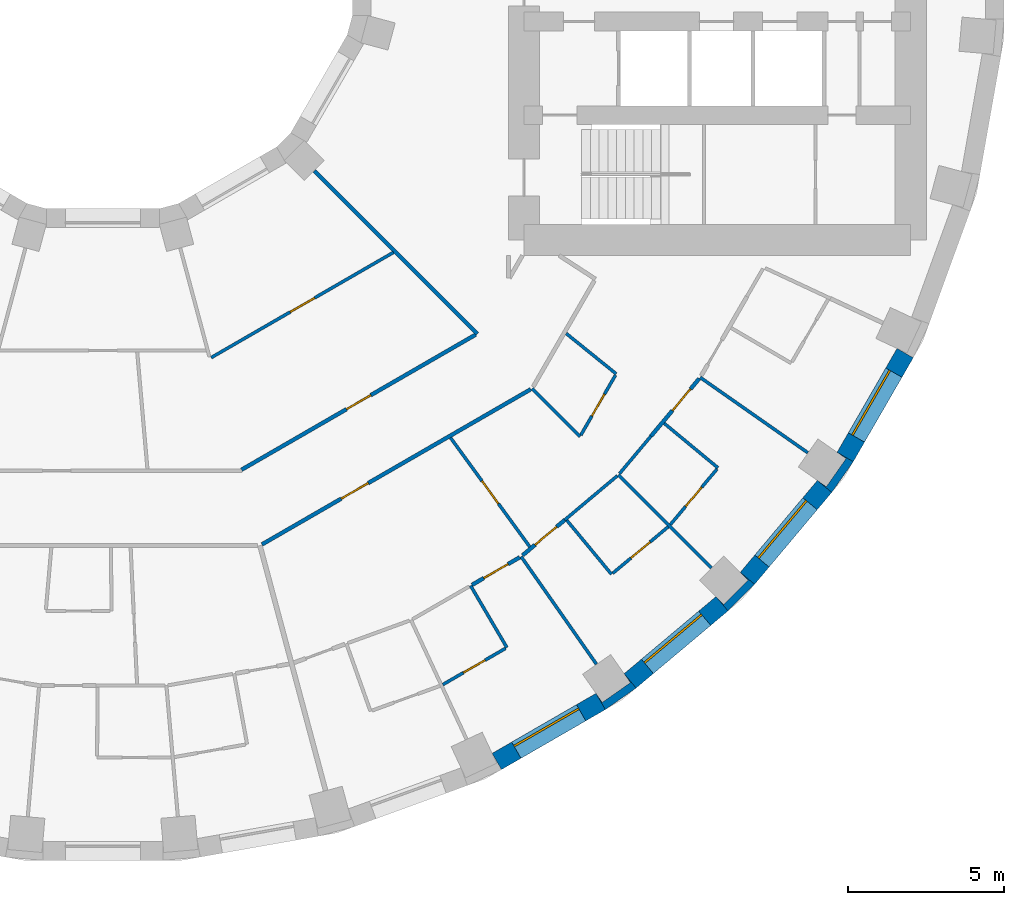
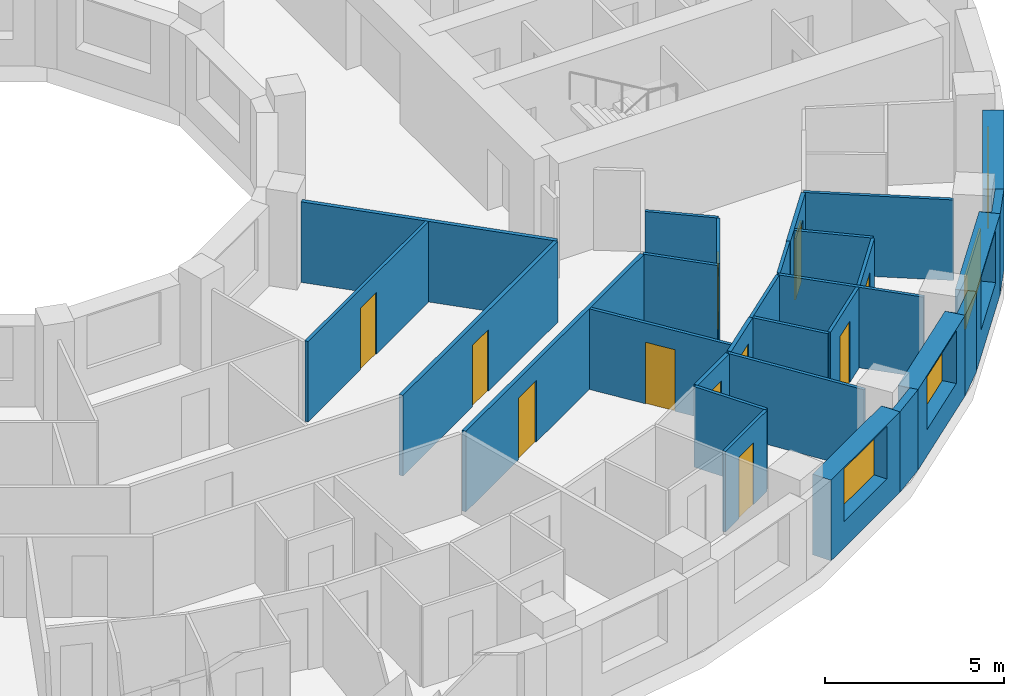
# One storey, part 7 of 15: 29 walls, 11 doors, 4 windows, 15 openings.
"""IFC4 building model written with IfcOpenShell, lengths in metres."""

from ifc_helpers import new_model, si_unit, direction, frame, frame_2d, origin, place, context, subcontext, project, spatial, polyline, rectangle, outline, extrude, material, layer, layer_set, type_object, element, fill, save


model = new_model("IFC4")

# Units and contexts
model_context = context("Model", 3, precision=1e-05, world=origin(), true_north=direction((0.0, 1.0)))
body_context = subcontext(model_context, "Body", "Model", "MODEL_VIEW")
ifc_project = project(units=[si_unit("LENGTHUNIT", "METRE"), si_unit("AREAUNIT", "SQUARE_METRE"), si_unit("VOLUMEUNIT", "CUBIC_METRE"), si_unit("PLANEANGLEUNIT", "RADIAN"), si_unit("MASSUNIT", "GRAM", prefix="KILO")], contexts=[model_context])

# Site, building, storey
site_placement = place(None, origin())
site = spatial("IfcSite", under=ifc_project, at=site_placement, CompositionType="ELEMENT")
building_placement = place(site_placement, origin())
building = spatial("IfcBuilding", under=site, at=building_placement, Name="Saqina Gate Tower", CompositionType="ELEMENT")
storey_placement = place(building_placement, frame((0.0, 0.0, 72.5)))
storey = spatial("IfcBuildingStorey", under=building, at=storey_placement, Name="L20", CompositionType="ELEMENT", Elevation=72.5)

# Walls
ifc_material_1 = material(Name="Brick masonry (red)", Category="masonry")
wall_type_1 = type_object("IfcWallType", Name="BRICK PIER COPING RED", PredefinedType="SOLIDWALL", material=ifc_material_1)
wall_1_placement = place(storey_placement, origin())
element("IfcWall", 1, at=wall_1_placement, inside=storey, type_object=wall_type_1, Name="Pier cap L20 column 31", PredefinedType="SOLIDWALL", context=body_context, shape_type="SweptSolid", body=[
    extrude(outline(polyline([(16.110107421875, -24.0576171875), (17.096923828125, -23.36669921875), (16.711181640625, -22.9072265625), (16.912109375, -23.194091796875), (16.010986328125, -23.8251953125), (15.81005859375, -23.5380859375), (16.110107421875, -24.0576171875)])), origin(), (0.0, 0.0, 1.0), 2.75),
])
wall_2_placement = place(storey_placement, origin())
element("IfcWall", 2, at=wall_2_placement, inside=storey, type_object=wall_type_1, Name="Pier cap L20 column 32", PredefinedType="SOLIDWALL", context=body_context, shape_type="SweptSolid", body=[
    extrude(outline(polyline([(20.894775390625, -20.04296875), (20.43505859375, -19.6572265625), (20.682861328125, -19.905029296875), (19.905029296875, -20.682861328125), (19.6572265625, -20.43505859375), (20.04296875, -20.894775390625), (20.894775390625, -20.04296875)])), origin(), (0.0, 0.0, 1.0), 2.75),
])
wall_3_placement = place(storey_placement, origin())
element("IfcWall", 3, at=wall_3_placement, inside=storey, type_object=wall_type_1, Name="Pier cap L20 column 33", PredefinedType="SOLIDWALL", context=body_context, shape_type="SweptSolid", body=[
    extrude(outline(polyline([(23.36669921875, -17.096923828125), (24.0576171875, -16.110107421875), (23.5380859375, -15.81005859375), (23.8251953125, -16.010986328125), (23.194091796875, -16.912109375), (22.9072265625, -16.711181640625), (23.36669921875, -17.096923828125)])), origin(), (0.0, 0.0, 1.0), 2.75),
])

# Wall, opening, window
ifc_material_2 = material(Name="Brick masonry (red)", Category="masonry")
ifc_layer_1 = layer(ifc_material_2, 0.60009765625)
ifc_layer_set_1 = layer_set([ifc_layer_1], Name="FW-BRICK-RED")
wall_type_2 = type_object("IfcWallType", Name="FW-BRICK-RED", PredefinedType="SOLIDWALL", material=ifc_layer_set_1)
wall_4_placement = place(storey_placement, frame((12.629638671875, -25.720703125, 0.0), z_axis=(0.0, 0.0, 1.0), x_axis=(0.86603124159, 0.499989888488, 0.0)))
wall_4 = element("IfcWall", 4, at=wall_4_placement, inside=storey, type_object=wall_type_2, Name="Facade wall L20 facet 30", PredefinedType="SOLIDWALL", context=body_context, shape_type="SweptSolid", body=[
    extrude(rectangle(XDim=3.845703125, YDim=0.60009765625, at=frame_2d((1.9228515625, 0.0))), origin(), (0.0, 0.0, 1.0), 2.75),
])
opening_1_placement = place(wall_4_placement, frame((0.722900390625, 0.0, 0.89990234375)))
opening_1 = element("IfcOpeningElement", 5, at=opening_1_placement, cuts=wall_4, Name="Opening G05-W19", PredefinedType="OPENING", context=body_context, shape_type="SweptSolid", body=[
    extrude(rectangle(XDim=2.39990234375, YDim=1.800048828125, at=frame_2d((1.199951171875, 0.89990234375))), frame((0.0, 0.31201171875, 0.0), z_axis=(0.0, -1.0, 0.0), x_axis=(1.0, 0.0, 0.0)), (0.0, 0.0, 1.0), 0.6240234375),
])
ifc_material_3 = material(Name="Aluminium glazing", Category="aluminium")
window_type = type_object("IfcWindowType", Name="WN-A", PartitioningType="SINGLE_PANEL", PredefinedType="WINDOW", material=ifc_material_3)
window_1_placement = place(opening_1_placement, origin())
window_1 = element("IfcWindow", 6, at=window_1_placement, inside=storey, type_object=window_type, Name="Window L20 facet 30", OverallHeight=1.800048828125, OverallWidth=2.39990234375, PartitioningType="SINGLE_PANEL", PredefinedType="WINDOW", context=body_context, shape_type="SweptSolid", body=[
    extrude(rectangle(XDim=2.39990234375, YDim=1.800048828125, at=frame_2d((1.199951171875, 0.89990234375))), frame((0.0, 0.179931640625, 0.0), z_axis=(0.0, -1.0, 0.0), x_axis=(1.0, 0.0, 0.0)), (0.0, 0.0, 1.0), 0.06005859375),
])
fill(opening_1, window_1)

wall_5_placement = place(storey_placement, frame((16.904052734375, -23.136962890625, 0.0), z_axis=(0.0, 0.0, 1.0), x_axis=(0.766026164483, 0.642809392687, 0.0)))
wall_5 = element("IfcWall", 7, at=wall_5_placement, inside=storey, type_object=wall_type_2, Name="Facade wall L20 facet 31", PredefinedType="SOLIDWALL", context=body_context, shape_type="SweptSolid", body=[
    extrude(rectangle(XDim=3.845947265625, YDim=0.60009765625, at=frame_2d((1.9228515625, 0.0))), origin(), (0.0, 0.0, 1.0), 2.75),
])
opening_2_placement = place(wall_5_placement, frame((0.722900390625, 0.0, 0.89990234375)))
opening_2 = element("IfcOpeningElement", 8, at=opening_2_placement, cuts=wall_5, Name="Opening G05-W20", PredefinedType="OPENING", context=body_context, shape_type="SweptSolid", body=[
    extrude(rectangle(XDim=2.39990234375, YDim=1.800048828125, at=frame_2d((1.199951171875, 0.89990234375))), frame((0.0, 0.31201171875, 0.0), z_axis=(0.0, -1.0, 0.0), x_axis=(1.0, 0.0, 0.0)), (0.0, 0.0, 1.0), 0.6240234375),
])
window_2_placement = place(opening_2_placement, origin())
window_2 = element("IfcWindow", 9, at=window_2_placement, inside=storey, type_object=window_type, Name="Window L20 facet 31", OverallHeight=1.800048828125, OverallWidth=2.39990234375, PartitioningType="SINGLE_PANEL", PredefinedType="WINDOW", context=body_context, shape_type="SweptSolid", body=[
    extrude(rectangle(XDim=2.39990234375, YDim=1.800048828125, at=frame_2d((1.199951171875, 0.89990234375))), frame((0.0, 0.179931640625, 0.0), z_axis=(0.0, -1.0, 0.0), x_axis=(1.0, 0.0, 0.0)), (0.0, 0.0, 1.0), 0.06005859375),
])
fill(opening_2, window_2)

wall_6_placement = place(storey_placement, frame((20.664794921875, -19.85009765625, 0.0), z_axis=(0.0, 0.0, 1.0), x_axis=(0.642809392687, 0.766026164483, 0.0)))
wall_6 = element("IfcWall", 10, at=wall_6_placement, inside=storey, type_object=wall_type_2, Name="Facade wall L20 facet 32", PredefinedType="SOLIDWALL", context=body_context, shape_type="SweptSolid", body=[
    extrude(rectangle(XDim=3.845947265625, YDim=0.60009765625, at=frame_2d((1.9228515625, 0.0))), origin(), (0.0, 0.0, 1.0), 2.75),
])
opening_3_placement = place(wall_6_placement, frame((0.722900390625, 0.0, 0.89990234375)))
opening_3 = element("IfcOpeningElement", 11, at=opening_3_placement, cuts=wall_6, Name="Opening G05-W21", PredefinedType="OPENING", context=body_context, shape_type="SweptSolid", body=[
    extrude(rectangle(XDim=2.39990234375, YDim=1.800048828125, at=frame_2d((1.199951171875, 0.89990234375))), frame((0.0, 0.31201171875, 0.0), z_axis=(0.0, -1.0, 0.0), x_axis=(1.0, 0.0, 0.0)), (0.0, 0.0, 1.0), 0.6240234375),
])
window_3_placement = place(opening_3_placement, origin())
window_3 = element("IfcWindow", 12, at=window_3_placement, inside=storey, type_object=window_type, Name="Window L20 facet 32", OverallHeight=1.800048828125, OverallWidth=2.39990234375, PartitioningType="SINGLE_PANEL", PredefinedType="WINDOW", context=body_context, shape_type="SweptSolid", body=[
    extrude(rectangle(XDim=2.39990234375, YDim=1.800048828125, at=frame_2d((1.199951171875, 0.89990234375))), frame((0.0, 0.179931640625, 0.0), z_axis=(0.0, -1.0, 0.0), x_axis=(1.0, 0.0, 0.0)), (0.0, 0.0, 1.0), 0.06005859375),
])
fill(opening_3, window_3)

wall_7_placement = place(storey_placement, frame((23.7978515625, -15.960205078125, 0.0), z_axis=(0.0, 0.0, 1.0), x_axis=(0.499989888488, 0.86603124159, 0.0)))
wall_7 = element("IfcWall", 13, at=wall_7_placement, inside=storey, type_object=wall_type_2, Name="Facade wall L20 facet 33", PredefinedType="SOLIDWALL", context=body_context, shape_type="SweptSolid", body=[
    extrude(rectangle(XDim=3.845703125, YDim=0.60009765625, at=frame_2d((1.9228515625, 0.0))), origin(), (0.0, 0.0, 1.0), 2.75),
])
opening_4_placement = place(wall_7_placement, frame((0.722900390625, 0.0, 0.89990234375)))
opening_4 = element("IfcOpeningElement", 14, at=opening_4_placement, cuts=wall_7, Name="Opening G05-W22", PredefinedType="OPENING", context=body_context, shape_type="SweptSolid", body=[
    extrude(rectangle(XDim=2.39990234375, YDim=1.800048828125, at=frame_2d((1.199951171875, 0.89990234375))), frame((0.0, 0.31201171875, 0.0), z_axis=(0.0, -1.0, 0.0), x_axis=(1.0, 0.0, 0.0)), (0.0, 0.0, 1.0), 0.6240234375),
])
window_4_placement = place(opening_4_placement, origin())
window_4 = element("IfcWindow", 15, at=window_4_placement, inside=storey, type_object=window_type, Name="Window L20 facet 33", OverallHeight=1.800048828125, OverallWidth=2.39990234375, PartitioningType="SINGLE_PANEL", PredefinedType="WINDOW", context=body_context, shape_type="SweptSolid", body=[
    extrude(rectangle(XDim=2.39990234375, YDim=1.800048828125, at=frame_2d((1.199951171875, 0.89990234375))), frame((0.0, 0.179931640625, 0.0), z_axis=(0.0, -1.0, 0.0), x_axis=(1.0, 0.0, 0.0)), (0.0, 0.0, 1.0), 0.06005859375),
])
fill(opening_4, window_4)

# Walls
ifc_material_4 = material(Name="Gypsum board on steel studs, 100 mm", Category="steel")
ifc_layer_2 = layer(ifc_material_4, 0.10009765625)
ifc_layer_set_2 = layer_set([ifc_layer_2], Name="PARTITION 100")
wall_type_3 = type_object("IfcWallType", Name="PARTITION 100", PredefinedType="PARTITIONING", material=ifc_layer_set_2)
wall_8_placement = place(storey_placement, frame((11.7900390625, -20.0859375, 0.0), z_axis=(0.0, 0.0, 1.0), x_axis=(0.506212585002, -0.862408730699, 0.0)))
element("IfcWall", 16, at=wall_8_placement, inside=storey, type_object=wall_type_3, Name="PARTITION PW3-23", PredefinedType="PARTITIONING", context=body_context, shape_type="SweptSolid", body=[
    extrude(rectangle(XDim=2.299560546875, YDim=0.10009765625, at=frame_2d((1.14990234375, 0.0))), origin(), (0.0, 0.0, 1.0), 2.75),
])
wall_9_placement = place(storey_placement, frame((13.408935546875, -19.15087890625, 0.0), z_axis=(0.0, 0.0, 1.0), x_axis=(0.573446781639, -0.819242814206, 0.0)))
element("IfcWall", 17, at=wall_9_placement, inside=storey, type_object=wall_type_3, Name="PARTITION PW3-25", PredefinedType="PARTITIONING", context=body_context, shape_type="SweptSolid", body=[
    extrude(rectangle(XDim=4.21142578125, YDim=0.10009765625, at=frame_2d((2.105712890625, 0.0))), origin(), (0.0, 0.0, 1.0), 2.75),
])

# Wall, opening, door
wall_10_placement = place(storey_placement, frame((11.147705078125, -15.344482421875, 0.0), z_axis=(0.0, 0.0, 1.0), x_axis=(0.587899330934, -0.8089340991, 0.0)))
wall_10 = element("IfcWall", 18, at=wall_10_placement, inside=storey, type_object=wall_type_3, Name="PARTITION PW3-26", PredefinedType="PARTITIONING", context=body_context, shape_type="SweptSolid", body=[
    extrude(rectangle(XDim=4.317626953125, YDim=0.10009765625, at=frame_2d((2.15869140625, 0.0))), origin(), (0.0, 0.0, 1.0), 2.75),
])
opening_5_placement = place(wall_10_placement, frame((1.708984375, 0.0, 0.0)))
opening_5 = element("IfcOpeningElement", 19, at=opening_5_placement, cuts=wall_10, Name="Opening G05-D61", PredefinedType="OPENING", context=body_context, shape_type="SweptSolid", body=[
    extrude(rectangle(XDim=0.89990234375, YDim=2.10009765625, at=frame_2d((0.449951171875, 1.050048828125))), frame((0.0, 0.06201171875, 0.0), z_axis=(0.0, -1.0, 0.0), x_axis=(1.0, 0.0, 0.0)), (0.0, 0.0, 1.0), 0.1240234375),
])
ifc_material_5 = material(Name="Timber door leaf, 900 mm", Category="wood")
door_type_1 = type_object("IfcDoorType", Name="DOOR 900 TIMBER", OperationType="SINGLE_SWING_LEFT", PredefinedType="DOOR", material=ifc_material_5)
door_1_placement = place(opening_5_placement, origin())
door_1 = element("IfcDoor", 20, at=door_1_placement, inside=storey, type_object=door_type_1, Name="DOOR G05-D61", OperationType="SINGLE_SWING_RIGHT", OverallHeight=2.10009765625, OverallWidth=0.89990234375, PredefinedType="DOOR", context=body_context, shape_type="SweptSolid", body=[
    extrude(rectangle(XDim=0.89990234375, YDim=2.10009765625, at=frame_2d((0.449951171875, 1.050048828125))), frame((0.0, 0.02490234375, 0.0), z_axis=(0.0, -1.0, 0.0), x_axis=(1.0, 0.0, 0.0)), (0.0, 0.0, 1.0), 0.050048828125),
])
fill(opening_5, door_1)

# Walls
wall_11_placement = place(storey_placement, frame((14.873779296875, -17.987548828125, 0.0), z_axis=(0.0, 0.0, 1.0), x_axis=(0.637512192465, -0.770440266639, 0.0)))
element("IfcWall", 21, at=wall_11_placement, inside=storey, type_object=wall_type_3, Name="PARTITION PW3-27", PredefinedType="PARTITIONING", context=body_context, shape_type="SweptSolid", body=[
    extrude(rectangle(XDim=2.25, YDim=0.10009765625, at=frame_2d((1.125, 0.0))), origin(), (0.0, 0.0, 1.0), 2.75),
])
wall_12_placement = place(storey_placement, frame((13.762939453125, -13.762939453125, 0.0), z_axis=(0.0, 0.0, 1.0), x_axis=(0.707106781187, -0.707106781187, 0.0)))
element("IfcWall", 22, at=wall_12_placement, inside=storey, type_object=wall_type_3, Name="PARTITION PW3-32", PredefinedType="PARTITIONING", context=body_context, shape_type="SweptSolid", body=[
    extrude(rectangle(XDim=2.173828125, YDim=0.10009765625, at=frame_2d((1.0869140625, 0.0))), origin(), (0.0, 0.0, 1.0), 2.75),
])
wall_13_placement = place(storey_placement, frame((16.531005859375, -16.531005859375, 0.0), z_axis=(0.0, 0.0, 1.0), x_axis=(0.707106781187, -0.707106781187, 0.0)))
element("IfcWall", 23, at=wall_13_placement, inside=storey, type_object=wall_type_3, Name="PARTITION PW3-33", PredefinedType="PARTITIONING", context=body_context, shape_type="SweptSolid", body=[
    extrude(rectangle(XDim=4.211669921875, YDim=0.10009765625, at=frame_2d((2.10595703125, 0.0))), origin(), (0.0, 0.0, 1.0), 2.75),
])
wall_14_placement = place(storey_placement, frame((17.9970703125, -14.8818359375, 0.0), z_axis=(0.0, 0.0, 1.0), x_axis=(0.770479328971, -0.637464982276, 0.0)))
element("IfcWall", 24, at=wall_14_placement, inside=storey, type_object=wall_type_3, Name="PARTITION PW3-37", PredefinedType="PARTITIONING", context=body_context, shape_type="SweptSolid", body=[
    extrude(rectangle(XDim=2.2373046875, YDim=0.10009765625, at=frame_2d((1.11865234375, 0.0))), origin(), (0.0, 0.0, 1.0), 2.75),
])
wall_15_placement = place(storey_placement, frame((14.852783203125, -11.99853515625, 0.0), z_axis=(0.0, 0.0, 1.0), x_axis=(0.777974546864, -0.628295793741, 0.0)))
element("IfcWall", 25, at=wall_15_placement, inside=storey, type_object=wall_type_3, Name="PARTITION PW3-38", PredefinedType="PARTITIONING", context=body_context, shape_type="SweptSolid", body=[
    extrude(rectangle(XDim=2.063232421875, YDim=0.10009765625, at=frame_2d((1.03173828125, 0.0))), origin(), (0.0, 0.0, 1.0), 2.75),
])
wall_16_placement = place(storey_placement, frame((19.15087890625, -13.408935546875, 0.0), z_axis=(0.0, 0.0, 1.0), x_axis=(0.819242814206, -0.573446781639, 0.0)))
element("IfcWall", 26, at=wall_16_placement, inside=storey, type_object=wall_type_3, Name="PARTITION PW3-40", PredefinedType="PARTITIONING", context=body_context, shape_type="SweptSolid", body=[
    extrude(rectangle(XDim=4.21142578125, YDim=0.10009765625, at=frame_2d((2.105712890625, 0.0))), origin(), (0.0, 0.0, 1.0), 2.75),
])

# Wall, opening, door
wall_17_placement = place(storey_placement, frame((10.8994140625, -23.256103515625, 0.0), z_axis=(0.0, 0.0, 1.0), x_axis=(0.865852932048, 0.500298610895, 0.0)))
wall_17 = element("IfcWall", 27, at=wall_17_placement, inside=storey, type_object=wall_type_3, Name="PARTITION PW3-75", PredefinedType="PARTITIONING", context=body_context, shape_type="SweptSolid", body=[
    extrude(rectangle(XDim=2.32275390625, YDim=0.10009765625, at=frame_2d((1.161376953125, 0.0))), origin(), (0.0, 0.0, 1.0), 2.75),
])
opening_6_placement = place(wall_17_placement, frame((0.761474609375, 0.0, 0.0)))
opening_6 = element("IfcOpeningElement", 28, at=opening_6_placement, cuts=wall_17, Name="Opening G05-D57", PredefinedType="OPENING", context=body_context, shape_type="SweptSolid", body=[
    extrude(rectangle(XDim=0.800048828125, YDim=2.10009765625, at=frame_2d((0.39990234375, 1.050048828125))), frame((0.0, 0.06201171875, 0.0), z_axis=(0.0, -1.0, 0.0), x_axis=(1.0, 0.0, 0.0)), (0.0, 0.0, 1.0), 0.1240234375),
])
ifc_material_6 = material(Name="Timber door leaf, 800 mm", Category="wood")
door_type_2 = type_object("IfcDoorType", Name="DOOR 800 TIMBER", OperationType="SINGLE_SWING_LEFT", PredefinedType="DOOR", material=ifc_material_6)
door_2_placement = place(opening_6_placement, frame((0.800048828125, 0.0, 0.0), z_axis=(0.0, 0.0, 1.0), x_axis=(-1.0, 0.0, 0.0)))
door_2 = element("IfcDoor", 29, at=door_2_placement, inside=storey, type_object=door_type_2, Name="DOOR G05-D57", OperationType="SINGLE_SWING_LEFT", OverallHeight=2.10009765625, OverallWidth=0.800048828125, PredefinedType="DOOR", context=body_context, shape_type="SweptSolid", body=[
    extrude(rectangle(XDim=0.800048828125, YDim=2.10009765625, at=frame_2d((0.39990234375, 1.050048828125))), frame((0.0, 0.02490234375, 0.0), z_axis=(0.0, -1.0, 0.0), x_axis=(1.0, 0.0, 0.0)), (0.0, 0.0, 1.0), 0.050048828125),
])
fill(opening_6, door_2)

wall_18_placement = place(storey_placement, frame((3.473388671875, -12.77490234375, 0.0), z_axis=(0.0, 0.0, 1.0), x_axis=(0.866002984226, 0.500038829804, 0.0)))
wall_18 = element("IfcWall", 30, at=wall_18_placement, inside=storey, type_object=wall_type_3, Name="PARTITION PW3-77", PredefinedType="PARTITIONING", context=body_context, shape_type="SweptSolid", body=[
    extrude(rectangle(XDim=6.74658203125, YDim=0.10009765625, at=frame_2d((3.373291015625, 0.0))), origin(), (0.0, 0.0, 1.0), 2.75),
])
opening_7_placement = place(wall_18_placement, frame((2.9296875, 0.0, 0.0)))
opening_7 = element("IfcOpeningElement", 31, at=opening_7_placement, cuts=wall_18, Name="Opening G05-D58", PredefinedType="OPENING", context=body_context, shape_type="SweptSolid", body=[
    extrude(rectangle(XDim=0.89990234375, YDim=2.10009765625, at=frame_2d((0.449951171875, 1.050048828125))), frame((0.0, 0.06201171875, 0.0), z_axis=(0.0, -1.0, 0.0), x_axis=(1.0, 0.0, 0.0)), (0.0, 0.0, 1.0), 0.1240234375),
])
door_3_placement = place(opening_7_placement, frame((0.89990234375, 0.0, 0.0), z_axis=(0.0, 0.0, 1.0), x_axis=(-1.0, 0.0, 0.0)))
door_3 = element("IfcDoor", 32, at=door_3_placement, inside=storey, type_object=door_type_1, Name="DOOR G05-D58", OperationType="SINGLE_SWING_LEFT", OverallHeight=2.10009765625, OverallWidth=0.89990234375, PredefinedType="DOOR", context=body_context, shape_type="SweptSolid", body=[
    extrude(rectangle(XDim=0.89990234375, YDim=2.10009765625, at=frame_2d((0.449951171875, 1.050048828125))), frame((0.0, 0.02490234375, 0.0), z_axis=(0.0, -1.0, 0.0), x_axis=(1.0, 0.0, 0.0)), (0.0, 0.0, 1.0), 0.050048828125),
])
fill(opening_7, door_3)

wall_19_placement = place(storey_placement, frame((16.34619140625, -19.68896484375, 0.0), z_axis=(0.0, 0.0, 1.0), x_axis=(0.766106399864, 0.642713765286, 0.0)))
wall_19 = element("IfcWall", 33, at=wall_19_placement, inside=storey, type_object=wall_type_3, Name="PARTITION PW3-83", PredefinedType="PARTITIONING", context=body_context, shape_type="SweptSolid", body=[
    extrude(rectangle(XDim=2.32275390625, YDim=0.10009765625, at=frame_2d((1.161376953125, 0.0))), origin(), (0.0, 0.0, 1.0), 2.75),
])
opening_8_placement = place(wall_19_placement, frame((0.76123046875, 0.0, 0.0)))
opening_8 = element("IfcOpeningElement", 34, at=opening_8_placement, cuts=wall_19, Name="Opening G05-D63", PredefinedType="OPENING", context=body_context, shape_type="SweptSolid", body=[
    extrude(rectangle(XDim=0.800048828125, YDim=2.10009765625, at=frame_2d((0.39990234375, 1.050048828125))), frame((0.0, 0.06201171875, 0.0), z_axis=(0.0, -1.0, 0.0), x_axis=(1.0, 0.0, 0.0)), (0.0, 0.0, 1.0), 0.1240234375),
])
door_4_placement = place(opening_8_placement, frame((0.800048828125, 0.0, 0.0), z_axis=(0.0, 0.0, 1.0), x_axis=(-1.0, 0.0, 0.0)))
door_4 = element("IfcDoor", 35, at=door_4_placement, inside=storey, type_object=door_type_2, Name="DOOR G05-D63", OperationType="SINGLE_SWING_LEFT", OverallHeight=2.10009765625, OverallWidth=0.800048828125, PredefinedType="DOOR", context=body_context, shape_type="SweptSolid", body=[
    extrude(rectangle(XDim=0.800048828125, YDim=2.10009765625, at=frame_2d((0.39990234375, 1.050048828125))), frame((0.0, 0.02490234375, 0.0), z_axis=(0.0, -1.0, 0.0), x_axis=(1.0, 0.0, 0.0)), (0.0, 0.0, 1.0), 0.050048828125),
])
fill(opening_8, door_4)

# Wall
wall_20_placement = place(storey_placement, frame((14.8037109375, -17.981201171875, 0.0), z_axis=(0.0, 0.0, 1.0), x_axis=(0.765874949637, 0.642989550085, 0.0)))
element("IfcWall", 36, at=wall_20_placement, inside=storey, type_object=wall_type_3, Name="PARTITION PW3-84", PredefinedType="PARTITIONING", context=body_context, shape_type="SweptSolid", body=[
    extrude(rectangle(XDim=2.205322265625, YDim=0.10009765625, at=frame_2d((1.1025390625, 0.0))), origin(), (0.0, 0.0, 1.0), 2.75),
])

# Wall, opening, door
wall_21_placement = place(storey_placement, frame((18.196044921875, -18.125732421875, 0.0), z_axis=(0.0, 0.0, 1.0), x_axis=(0.642713765286, 0.766106399864, 0.0)))
wall_21 = element("IfcWall", 37, at=wall_21_placement, inside=storey, type_object=wall_type_3, Name="PARTITION PW3-89", PredefinedType="PARTITIONING", context=body_context, shape_type="SweptSolid", body=[
    extrude(rectangle(XDim=2.32275390625, YDim=0.10009765625, at=frame_2d((1.161376953125, 0.0))), origin(), (0.0, 0.0, 1.0), 2.75),
])
opening_9_placement = place(wall_21_placement, frame((0.76123046875, 0.0, 0.0)))
opening_9 = element("IfcOpeningElement", 38, at=opening_9_placement, cuts=wall_21, Name="Opening G05-D64", PredefinedType="OPENING", context=body_context, shape_type="SweptSolid", body=[
    extrude(rectangle(XDim=0.800048828125, YDim=2.10009765625, at=frame_2d((0.39990234375, 1.050048828125))), frame((0.0, 0.06201171875, 0.0), z_axis=(0.0, -1.0, 0.0), x_axis=(1.0, 0.0, 0.0)), (0.0, 0.0, 1.0), 0.1240234375),
])
door_5_placement = place(opening_9_placement, frame((0.800048828125, 0.0, 0.0), z_axis=(0.0, 0.0, 1.0), x_axis=(-1.0, 0.0, 0.0)))
door_5 = element("IfcDoor", 39, at=door_5_placement, inside=storey, type_object=door_type_2, Name="DOOR G05-D64", OperationType="SINGLE_SWING_LEFT", OverallHeight=2.10009765625, OverallWidth=0.800048828125, PredefinedType="DOOR", context=body_context, shape_type="SweptSolid", body=[
    extrude(rectangle(XDim=0.800048828125, YDim=2.10009765625, at=frame_2d((0.39990234375, 1.050048828125))), frame((0.0, 0.02490234375, 0.0), z_axis=(0.0, -1.0, 0.0), x_axis=(1.0, 0.0, 0.0)), (0.0, 0.0, 1.0), 0.050048828125),
])
fill(opening_9, door_5)

# Wall
wall_22_placement = place(storey_placement, frame((16.563232421875, -16.49267578125, 0.0), z_axis=(0.0, 0.0, 1.0), x_axis=(0.642980448463, 0.765882590802, 0.0)))
element("IfcWall", 40, at=wall_22_placement, inside=storey, type_object=wall_type_3, Name="PARTITION PW3-90", PredefinedType="PARTITIONING", context=body_context, shape_type="SweptSolid", body=[
    extrude(rectangle(XDim=1.5693359375, YDim=0.10009765625, at=frame_2d((0.78466796875, 0.0))), origin(), (0.0, 0.0, 1.0), 2.75),
])

# Wall, opening, door
wall_23_placement = place(storey_placement, frame((15.324951171875, -15.256591796875, 0.0), z_axis=(0.0, 0.0, 1.0), x_axis=(0.500228022419, 0.865893714948, 0.0)))
wall_23 = element("IfcWall", 41, at=wall_23_placement, inside=storey, type_object=wall_type_3, Name="PARTITION PW3-98", PredefinedType="PARTITIONING", context=body_context, shape_type="SweptSolid", body=[
    extrude(rectangle(XDim=2.21533203125, YDim=0.10009765625, at=frame_2d((1.107666015625, 0.0))), origin(), (0.0, 0.0, 1.0), 2.75),
])
opening_10_placement = place(wall_23_placement, frame((0.707763671875, 0.0, 0.0)))
opening_10 = element("IfcOpeningElement", 42, at=opening_10_placement, cuts=wall_23, Name="Opening G05-D65", PredefinedType="OPENING", context=body_context, shape_type="SweptSolid", body=[
    extrude(rectangle(XDim=0.800048828125, YDim=2.10009765625, at=frame_2d((0.39990234375, 1.050048828125))), frame((0.0, 0.06201171875, 0.0), z_axis=(0.0, -1.0, 0.0), x_axis=(1.0, 0.0, 0.0)), (0.0, 0.0, 1.0), 0.1240234375),
])
door_6_placement = place(opening_10_placement, frame((0.800048828125, 0.0, 0.0), z_axis=(0.0, 0.0, 1.0), x_axis=(-1.0, 0.0, 0.0)))
door_6 = element("IfcDoor", 43, at=door_6_placement, inside=storey, type_object=door_type_2, Name="DOOR G05-D65", OperationType="SINGLE_SWING_LEFT", OverallHeight=2.10009765625, OverallWidth=0.800048828125, PredefinedType="DOOR", context=body_context, shape_type="SweptSolid", body=[
    extrude(rectangle(XDim=0.800048828125, YDim=2.10009765625, at=frame_2d((0.39990234375, 1.050048828125))), frame((0.0, 0.02490234375, 0.0), z_axis=(0.0, -1.0, 0.0), x_axis=(1.0, 0.0, 0.0)), (0.0, 0.0, 1.0), 0.050048828125),
])
fill(opening_10, door_6)

# Wall
ifc_material_7 = material(Name="Gypsum board on steel studs, 125 mm, fire rated", Category="steel")
ifc_layer_3 = layer(ifc_material_7, 0.125)
ifc_layer_set_3 = layer_set([ifc_layer_3], Name="PARTITION EI 30 125")
wall_type_4 = type_object("IfcWallType", Name="PARTITION EI 30 125", PredefinedType="PARTITIONING", material=ifc_layer_set_3)
wall_24_placement = place(storey_placement, frame((6.78271484375, -6.78271484375, 0.0), z_axis=(0.0, 0.0, 1.0), x_axis=(0.707106781187, -0.707106781187, 0.0)))
element("IfcWall", 44, at=wall_24_placement, inside=storey, type_object=wall_type_4, Name="PARTITION PW1-06", PredefinedType="PARTITIONING", context=body_context, shape_type="SweptSolid", body=[
    extrude(rectangle(XDim=7.386962890625, YDim=0.125, at=frame_2d((3.693359375, 0.0))), origin(), (0.0, 0.0, 1.0), 2.75),
])

# Wall, opening, door
wall_25_placement = place(storey_placement, frame((11.833251953125, -20.06103515625, 0.0), z_axis=(0.0, 0.0, 1.0), x_axis=(0.865967311171, 0.500100605862, 0.0)))
wall_25 = element("IfcWall", 45, at=wall_25_placement, inside=storey, type_object=wall_type_4, Name="PARTITION PW1-31", PredefinedType="PARTITIONING", context=body_context, shape_type="SweptSolid", body=[
    extrude(rectangle(XDim=1.769775390625, YDim=0.125, at=frame_2d((0.884765625, 0.0))), origin(), (0.0, 0.0, 1.0), 2.75),
])
opening_11_placement = place(wall_25_placement, frame((0.434814453125, 0.0, 0.0)))
opening_11 = element("IfcOpeningElement", 46, at=opening_11_placement, cuts=wall_25, Name="Opening G05-D60", PredefinedType="OPENING", context=body_context, shape_type="SweptSolid", body=[
    extrude(rectangle(XDim=0.89990234375, YDim=2.10009765625, at=frame_2d((0.449951171875, 1.050048828125))), frame((0.0, 0.074462890625, 0.0), z_axis=(0.0, -1.0, 0.0), x_axis=(1.0, 0.0, 0.0)), (0.0, 0.0, 1.0), 0.14892578125),
])
ifc_material_8 = material(Name="Fire door leaf EI 30, 900 mm")
door_type_3 = type_object("IfcDoorType", Name="DOOR 900 EI 30", OperationType="SINGLE_SWING_LEFT", PredefinedType="DOOR", material=ifc_material_8)
door_7_placement = place(opening_11_placement, origin())
door_7 = element("IfcDoor", 47, at=door_7_placement, inside=storey, type_object=door_type_3, Name="DOOR G05-D60", OperationType="SINGLE_SWING_RIGHT", OverallHeight=2.10009765625, OverallWidth=0.89990234375, PredefinedType="DOOR", context=body_context, shape_type="SweptSolid", body=[
    extrude(rectangle(XDim=0.89990234375, YDim=2.10009765625, at=frame_2d((0.449951171875, 1.050048828125))), frame((0.0, 0.02490234375, 0.0), z_axis=(0.0, -1.0, 0.0), x_axis=(1.0, 0.0, 0.0)), (0.0, 0.0, 1.0), 0.050048828125),
])
fill(opening_11, door_7)

wall_26_placement = place(storey_placement, frame((5.10205078125, -18.762451171875, 0.0), z_axis=(0.0, 0.0, 1.0), x_axis=(0.866071189182, 0.499920688979, 0.0)))
wall_26 = element("IfcWall", 48, at=wall_26_placement, inside=storey, type_object=wall_type_4, Name="PARTITION PW1-32", PredefinedType="PARTITIONING", context=body_context, shape_type="SweptSolid", body=[
    extrude(rectangle(XDim=9.9501953125, YDim=0.125, at=frame_2d((4.97509765625, 0.0))), origin(), (0.0, 0.0, 1.0), 2.75),
])
opening_12_placement = place(wall_26_placement, frame((2.931640625, 0.0, 0.0)))
opening_12 = element("IfcOpeningElement", 49, at=opening_12_placement, cuts=wall_26, Name="Opening G05-D56", PredefinedType="OPENING", context=body_context, shape_type="SweptSolid", body=[
    extrude(rectangle(XDim=1.0, YDim=2.10009765625, at=frame_2d((0.5, 1.050048828125))), frame((0.0, 0.074462890625, 0.0), z_axis=(0.0, -1.0, 0.0), x_axis=(1.0, 0.0, 0.0)), (0.0, 0.0, 1.0), 0.14892578125),
])
ifc_material_9 = material(Name="Fire door leaf EI 30, 1000 mm")
door_type_4 = type_object("IfcDoorType", Name="DOOR 1000 EI 30", OperationType="SINGLE_SWING_LEFT", PredefinedType="DOOR", material=ifc_material_9)
door_8_placement = place(opening_12_placement, frame((1.0, 0.0, 0.0), z_axis=(0.0, 0.0, 1.0), x_axis=(-1.0, 0.0, 0.0)))
door_8 = element("IfcDoor", 50, at=door_8_placement, inside=storey, type_object=door_type_4, Name="DOOR G05-D56", OperationType="SINGLE_SWING_RIGHT", OverallHeight=2.10009765625, OverallWidth=1.0, PredefinedType="DOOR", context=body_context, shape_type="SweptSolid", body=[
    extrude(rectangle(XDim=1.0, YDim=2.10009765625, at=frame_2d((0.5, 1.050048828125))), frame((0.0, 0.02490234375, 0.0), z_axis=(0.0, -1.0, 0.0), x_axis=(1.0, 0.0, 0.0)), (0.0, 0.0, 1.0), 0.050048828125),
])
fill(opening_12, door_8)

wall_27_placement = place(storey_placement, frame((4.4482421875, -16.36865234375, 0.0), z_axis=(0.0, 0.0, 1.0), x_axis=(0.866072505035, 0.499918409365, 0.0)))
wall_27 = element("IfcWall", 51, at=wall_27_placement, inside=storey, type_object=wall_type_4, Name="PARTITION PW1-33", PredefinedType="PARTITIONING", context=body_context, shape_type="SweptSolid", body=[
    extrude(rectangle(XDim=8.6640625, YDim=0.125, at=frame_2d((4.33203125, 0.0))), origin(), (0.0, 0.0, 1.0), 2.75),
])
opening_13_placement = place(wall_27_placement, frame((3.882080078125, 0.0, 0.0)))
opening_13 = element("IfcOpeningElement", 52, at=opening_13_placement, cuts=wall_27, Name="Opening G05-D59", PredefinedType="OPENING", context=body_context, shape_type="SweptSolid", body=[
    extrude(rectangle(XDim=0.89990234375, YDim=2.10009765625, at=frame_2d((0.449951171875, 1.050048828125))), frame((0.0, 0.074462890625, 0.0), z_axis=(0.0, -1.0, 0.0), x_axis=(1.0, 0.0, 0.0)), (0.0, 0.0, 1.0), 0.14892578125),
])
door_9_placement = place(opening_13_placement, origin())
door_9 = element("IfcDoor", 53, at=door_9_placement, inside=storey, type_object=door_type_3, Name="DOOR G05-D59", OperationType="SINGLE_SWING_RIGHT", OverallHeight=2.10009765625, OverallWidth=0.89990234375, PredefinedType="DOOR", context=body_context, shape_type="SweptSolid", body=[
    extrude(rectangle(XDim=0.89990234375, YDim=2.10009765625, at=frame_2d((0.449951171875, 1.050048828125))), frame((0.0, 0.02490234375, 0.0), z_axis=(0.0, -1.0, 0.0), x_axis=(1.0, 0.0, 0.0)), (0.0, 0.0, 1.0), 0.050048828125),
])
fill(opening_13, door_9)

wall_28_placement = place(storey_placement, frame((13.45703125, -19.11083984375, 0.0), z_axis=(0.0, 0.0, 1.0), x_axis=(0.766590701723, 0.642136041686, 0.0)))
wall_28 = element("IfcWall", 54, at=wall_28_placement, inside=storey, type_object=wall_type_4, Name="PARTITION PW1-40", PredefinedType="PARTITIONING", context=body_context, shape_type="SweptSolid", body=[
    extrude(rectangle(XDim=1.757568359375, YDim=0.125, at=frame_2d((0.87890625, 0.0))), origin(), (0.0, 0.0, 1.0), 2.75),
])
opening_14_placement = place(wall_28_placement, frame((0.522705078125, 0.0, 0.0)))
opening_14 = element("IfcOpeningElement", 55, at=opening_14_placement, cuts=wall_28, Name="Opening G05-D62", PredefinedType="OPENING", context=body_context, shape_type="SweptSolid", body=[
    extrude(rectangle(XDim=0.89990234375, YDim=2.10009765625, at=frame_2d((0.449951171875, 1.050048828125))), frame((0.0, 0.074462890625, 0.0), z_axis=(0.0, -1.0, 0.0), x_axis=(1.0, 0.0, 0.0)), (0.0, 0.0, 1.0), 0.14892578125),
])
door_10_placement = place(opening_14_placement, origin())
door_10 = element("IfcDoor", 56, at=door_10_placement, inside=storey, type_object=door_type_3, Name="DOOR G05-D62", OperationType="SINGLE_SWING_LEFT", OverallHeight=2.10009765625, OverallWidth=0.89990234375, PredefinedType="DOOR", context=body_context, shape_type="SweptSolid", body=[
    extrude(rectangle(XDim=0.89990234375, YDim=2.10009765625, at=frame_2d((0.449951171875, 1.050048828125))), frame((0.0, 0.02490234375, 0.0), z_axis=(0.0, -1.0, 0.0), x_axis=(1.0, 0.0, 0.0)), (0.0, 0.0, 1.0), 0.050048828125),
])
fill(opening_14, door_10)

wall_29_placement = place(storey_placement, frame((17.572509765625, -15.291015625, 0.0), z_axis=(0.0, 0.0, 1.0), x_axis=(0.642616104492, 0.766188320354, 0.0)))
wall_29 = element("IfcWall", 57, at=wall_29_placement, inside=storey, type_object=wall_type_4, Name="PARTITION PW1-44", PredefinedType="PARTITIONING", context=body_context, shape_type="SweptSolid", body=[
    extrude(rectangle(XDim=2.406494140625, YDim=0.125, at=frame_2d((1.203125, 0.0))), origin(), (0.0, 0.0, 1.0), 2.75),
])
opening_15_placement = place(wall_29_placement, frame((1.0712890625, 0.0, 0.0)))
opening_15 = element("IfcOpeningElement", 58, at=opening_15_placement, cuts=wall_29, Name="Opening G05-D66", PredefinedType="OPENING", context=body_context, shape_type="SweptSolid", body=[
    extrude(rectangle(XDim=0.89990234375, YDim=2.10009765625, at=frame_2d((0.449951171875, 1.050048828125))), frame((0.0, 0.074462890625, 0.0), z_axis=(0.0, -1.0, 0.0), x_axis=(1.0, 0.0, 0.0)), (0.0, 0.0, 1.0), 0.14892578125),
])
door_11_placement = place(opening_15_placement, origin())
door_11 = element("IfcDoor", 59, at=door_11_placement, inside=storey, type_object=door_type_3, Name="DOOR G05-D66", OperationType="SINGLE_SWING_RIGHT", OverallHeight=2.10009765625, OverallWidth=0.89990234375, PredefinedType="DOOR", context=body_context, shape_type="SweptSolid", body=[
    extrude(rectangle(XDim=0.89990234375, YDim=2.10009765625, at=frame_2d((0.449951171875, 1.050048828125))), frame((0.0, 0.02490234375, 0.0), z_axis=(0.0, -1.0, 0.0), x_axis=(1.0, 0.0, 0.0)), (0.0, 0.0, 1.0), 0.050048828125),
])
fill(opening_15, door_11)

save(model, "model.ifc")
